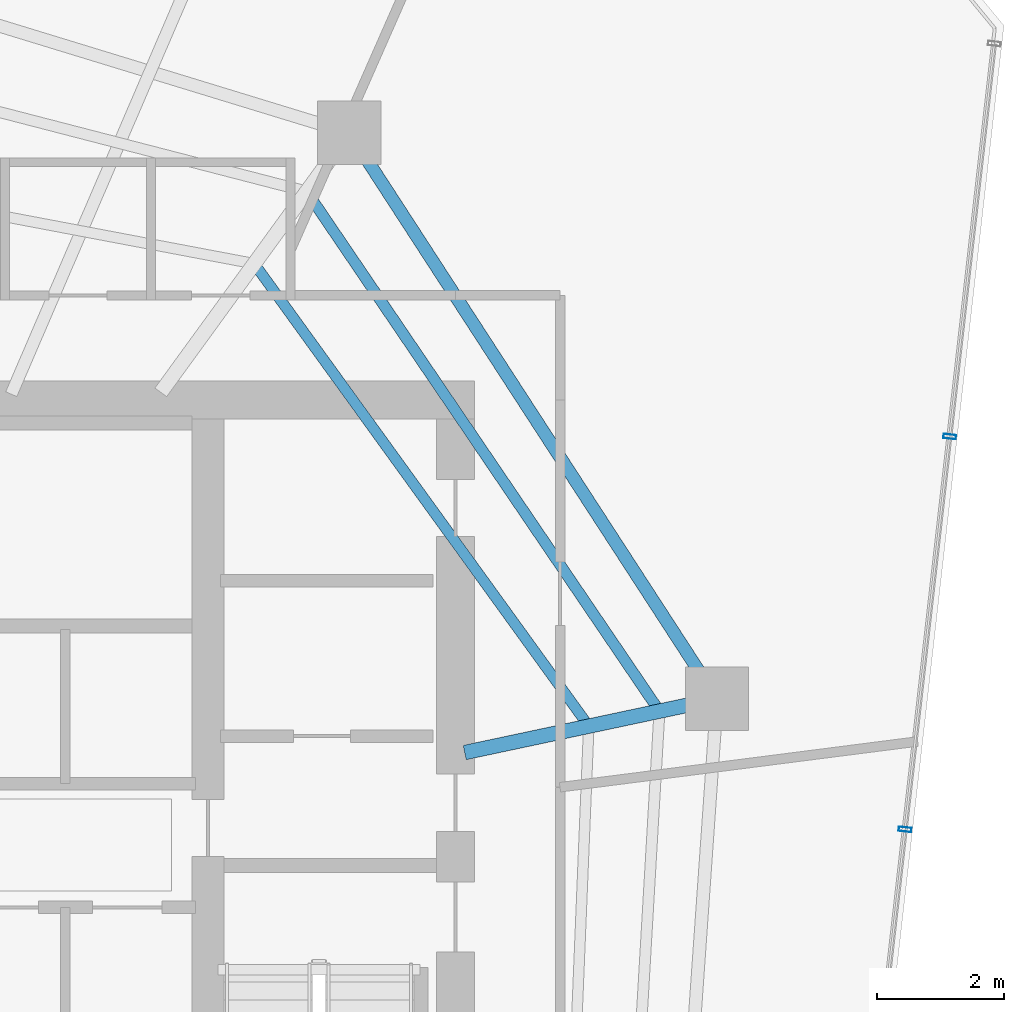
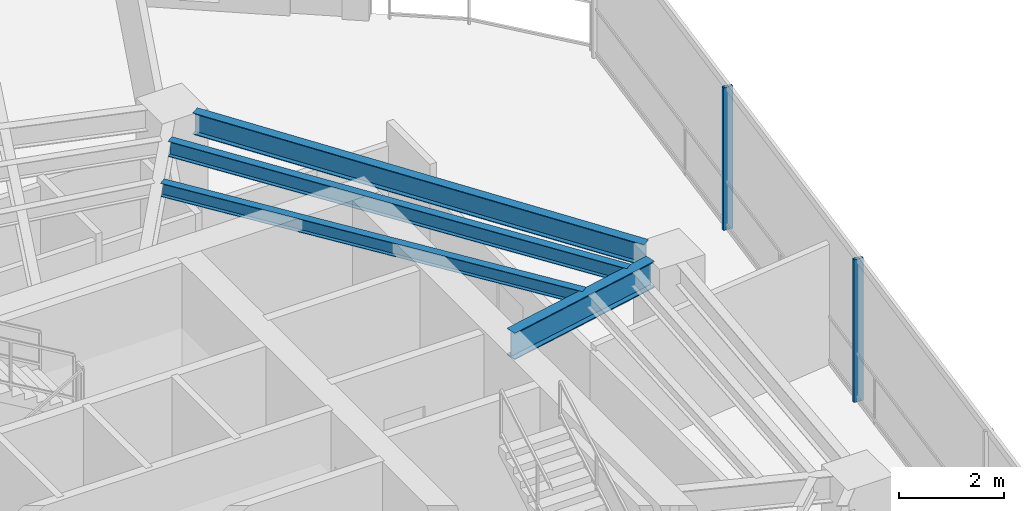
# One storey, part 12 of 22: 4 beams, 2 members, 1 element without a shape of its own.
"""IFC4 building model written with IfcOpenShell, lengths in metres."""

from ifc_helpers import new_model, si_unit, direction, frame, origin, origin_2d, place, context, subcontext, project, spatial, hollow_rectangle, i_section, extrude, material, layer, layer_set, material_profile, profile_set, type_object, element, aggregate, save


model = new_model("IFC4")

# Units and contexts
model_context = context("Model", 3, precision=1e-05, world=origin(), true_north=direction((0.0, 1.0)))
body_context = subcontext(model_context, "Body", "Model", "MODEL_VIEW")
ifc_project = project(units=[si_unit("LENGTHUNIT", "METRE"), si_unit("AREAUNIT", "SQUARE_METRE"), si_unit("VOLUMEUNIT", "CUBIC_METRE"), si_unit("PLANEANGLEUNIT", "RADIAN"), si_unit("MASSUNIT", "GRAM", prefix="KILO")], contexts=[model_context])

# Site, building, storey
site_placement = place(None, origin())
site = spatial("IfcSite", under=ifc_project, at=site_placement, CompositionType="ELEMENT")
building_placement = place(site_placement, origin())
building = spatial("IfcBuilding", under=site, at=building_placement, Name="Qarnah Convention Tower", CompositionType="ELEMENT")
storey_placement = place(building_placement, frame((0.0, 0.0, 154.5)))
storey = spatial("IfcBuildingStorey", under=building, at=storey_placement, Name="L41", CompositionType="ELEMENT", Elevation=154.5)

# Beams
ifc_material_1 = material(Name="Structural steel S355JR", Category="steel")
ifc_material_profile_1 = material_profile(ifc_material_1, i_section(OverallWidth=0.166015625, OverallDepth=0.31201171875, WebThickness=0.007080078125, FlangeThickness=0.010986328125, at=origin_2d()), Name="W310X45")
ifc_profile_set_1 = profile_set([ifc_material_profile_1], Name="Structural steel S355JR")
beam_type_1 = type_object("IfcBeamType", Name="BM-JST-W310", PredefinedType="JOIST", material=ifc_profile_set_1)
beam_1_placement = place(storey_placement, frame((49.65087890625, 29.1298828125, 3.1640625), z_axis=(-0.586082668217, 0.810251261039, 0.0), x_axis=(-0.810251261039, -0.586082668217, 0.0)))
element("IfcBeam", 1, at=beam_1_placement, inside=storey, type_object=beam_type_1, Name="L41 joist BM-L41-IJST-01", PredefinedType="JOIST", context=body_context, shape_type="SweptSolid", body=[
    extrude(i_section(OverallWidth=0.166015625, OverallDepth=0.31201171875, WebThickness=0.007080078125, FlangeThickness=0.010986328125, at=origin_2d()), origin(), (0.0, 0.0, 1.0), 8.819580078125),
])
ifc_material_profile_2 = material_profile(ifc_material_1, i_section(OverallWidth=0.172119140625, OverallDepth=0.35595703125, WebThickness=0.007080078125, FlangeThickness=0.011962890625, at=origin_2d()), Name="W360X51")
ifc_profile_set_2 = profile_set([ifc_material_profile_2], Name="Structural steel S355JR")
beam_type_2 = type_object("IfcBeamType", Name="BM-JST-W360", PredefinedType="JOIST", material=ifc_profile_set_2)
beam_2_placement = place(storey_placement, frame((50.76708984375, 29.367919921875, 3.14208984375), z_axis=(-0.561639559015, 0.827382019233, 0.0), x_axis=(-0.827382019233, -0.561639559015, 0.0)))
element("IfcBeam", 2, at=beam_2_placement, inside=storey, type_object=beam_type_2, Name="L41 joist BM-L41-SJST-01", PredefinedType="JOIST", context=body_context, shape_type="SweptSolid", body=[
    extrude(i_section(OverallWidth=0.172119140625, OverallDepth=0.35595703125, WebThickness=0.007080078125, FlangeThickness=0.011962890625, at=origin_2d()), origin(), (0.0, 0.0, 1.0), 9.7236328125),
])
ifc_material_profile_3 = material_profile(ifc_material_1, i_section(OverallWidth=0.22998046875, OverallDepth=0.617919921875, WebThickness=0.012939453125, FlangeThickness=0.02197265625, at=origin_2d()), Name="W610X140")
ifc_profile_set_3 = profile_set([ifc_material_profile_3], Name="Structural steel S355JR")
beam_type_3 = type_object("IfcBeamType", Name="BM-RAD-W610A", PredefinedType="BEAM", material=ifc_profile_set_3)
beam_3_placement = place(storey_placement, frame((47.7470703125, 28.64111328125, 3.010986328125), z_axis=(0.978133929389, 0.207975999045, 0.0), x_axis=(-0.207975999045, 0.978133929389, 0.0)))
element("IfcBeam", 3, at=beam_3_placement, inside=storey, type_object=beam_type_3, Name="L41 beam BM-L41-RAD-01", PredefinedType="BEAM", context=body_context, shape_type="SweptSolid", body=[
    extrude(i_section(OverallWidth=0.22998046875, OverallDepth=0.617919921875, WebThickness=0.012939453125, FlangeThickness=0.02197265625, at=origin_2d()), origin(), (0.0, 0.0, 1.0), 3.586181640625),
])
ifc_material_profile_4 = material_profile(ifc_material_1, i_section(OverallWidth=0.199951171875, OverallDepth=0.5, WebThickness=0.010009765625, FlangeThickness=0.01611328125, at=origin_2d()), Name="IPE500")
ifc_profile_set_4 = profile_set([ifc_material_profile_4], Name="Structural steel S355JR")
beam_type_4 = type_object("IfcBeamType", Name="BM-SPN-IPE500", PredefinedType="SPANDREL", material=ifc_profile_set_4)
beam_4_placement = place(storey_placement, frame((51.4580078125, 29.89794921875, 3.070068359375), z_axis=(-0.544531816504, 0.838740186717, 0.0), x_axis=(-0.838740186717, -0.544531816504, 0.0)))
element("IfcBeam", 4, at=beam_4_placement, inside=storey, type_object=beam_type_4, Name="L41 spandrel BM-L41-SPN-01", PredefinedType="SPANDREL", context=body_context, shape_type="SweptSolid", body=[
    extrude(i_section(OverallWidth=0.199951171875, OverallDepth=0.5, WebThickness=0.010009765625, FlangeThickness=0.01611328125, at=origin_2d()), origin(), (0.0, 0.0, 1.0), 9.663330078125),
])

# Curtain wall, members
ifc_material_2 = material(Name="Tempered Low-E dark glass", Category="glass")
ifc_layer = layer(ifc_material_2, 0.172119140625)
ifc_layer_set = layer_set([ifc_layer], Name="Tempered Low-E dark glass")
curtain_wall_type = type_object("IfcCurtainWallType", Name="CWS-03", PredefinedType="NOTDEFINED", material=ifc_layer_set)
curtain_wall_placement = place(storey_placement, origin())
curtain_wall = element("IfcCurtainWall", 5, at=curtain_wall_placement, inside=storey, type_object=curtain_wall_type, Name="L41 unitised curtain wall CW-L41-F3", PredefinedType="NOTDEFINED")
ifc_material_3 = material(Name="Black anodised aluminium", Category="aluminium")
ifc_material_profile_5 = material_profile(ifc_material_3, hollow_rectangle(XDim=0.070068359375, YDim=0.199951171875, WallThickness=0.0048828125, at=origin_2d()), Name="MUL-70X200")
ifc_profile_set_5 = profile_set([ifc_material_profile_5], Name="Black anodised aluminium")
member_type = type_object("IfcMemberType", Name="MUL-T3", PredefinedType="MULLION", material=ifc_profile_set_5)
member_1_placement = place(storey_placement, frame((55.394287109375, 33.6240234375, 0.0), z_axis=(0.0, 0.0, 1.0), x_axis=(-0.11288161714, -0.993608444264, 0.0)))
member_1 = element("IfcMember", 6, at=member_1_placement, type_object=member_type, Name="CW-L41-F3 mullion 2", PredefinedType="MULLION", context=body_context, shape_type="SweptSolid", body=[
    extrude(hollow_rectangle(XDim=0.070068359375, YDim=0.199951171875, WallThickness=0.0048828125, at=origin_2d()), origin(), (0.0, 0.0, 1.0), 3.320068359375),
])
member_2_placement = place(storey_placement, frame((54.6904296875, 27.428955078125, 0.0), z_axis=(0.0, 0.0, 1.0), x_axis=(-0.11288161714, -0.993608444264, 0.0)))
member_2 = element("IfcMember", 7, at=member_2_placement, type_object=member_type, Name="CW-L41-F3 mullion 3", PredefinedType="MULLION", context=body_context, shape_type="SweptSolid", body=[
    extrude(hollow_rectangle(XDim=0.070068359375, YDim=0.199951171875, WallThickness=0.0048828125, at=origin_2d()), origin(), (0.0, 0.0, 1.0), 3.320068359375),
])
aggregate(curtain_wall, [member_1, member_2])

save(model, "model.ifc")
